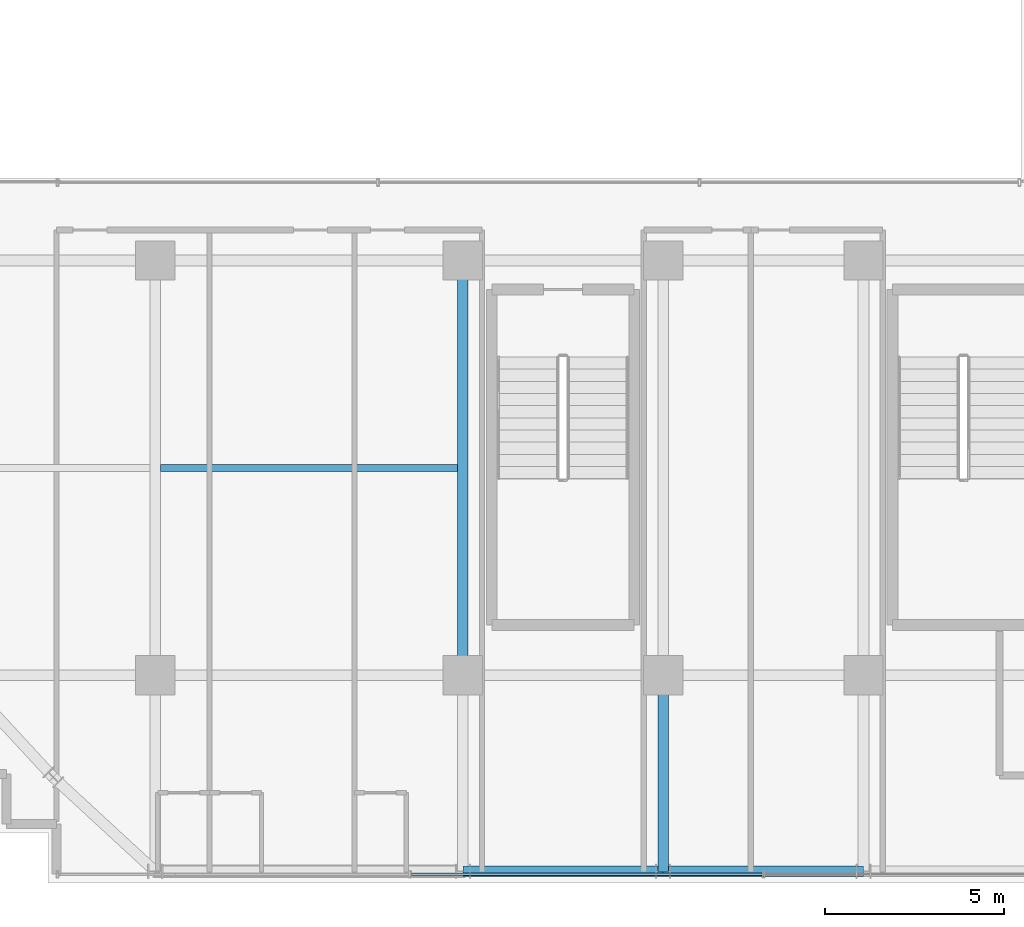
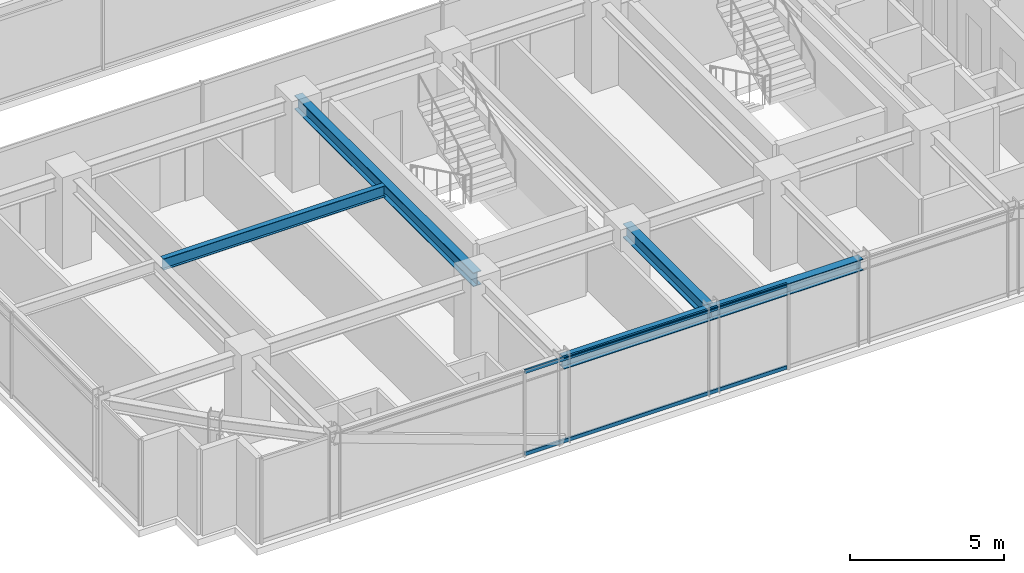
# One storey, part 5 of 36: 5 beams, 2 members, 1 element without a shape of its own.
"""IFC4 building model written with IfcOpenShell, lengths in metres."""

from ifc_helpers import new_model, si_unit, direction, frame, origin, origin_2d, place, context, subcontext, project, spatial, hollow_rectangle, i_section, extrude, source, transform, mapped, material, material_profile, profile_set, type_object, element, aggregate, save


model = new_model("IFC4")

# Units and contexts
model_context = context("Model", 3, precision=1e-05, world=origin(), true_north=direction((0.0, 1.0)))
body_context = subcontext(model_context, "Body", "Model", "MODEL_VIEW")
ifc_project = project(units=[si_unit("LENGTHUNIT", "METRE"), si_unit("AREAUNIT", "SQUARE_METRE"), si_unit("VOLUMEUNIT", "CUBIC_METRE"), si_unit("PLANEANGLEUNIT", "RADIAN"), si_unit("MASSUNIT", "GRAM", prefix="KILO")], contexts=[model_context])

# Site, building, storey
site_placement = place(None, origin())
site = spatial("IfcSite", under=ifc_project, at=site_placement, CompositionType="ELEMENT")
building_placement = place(site_placement, origin())
building = spatial("IfcBuilding", under=site, at=building_placement, Name="Nahalor Promenade Grand Hotel", CompositionType="ELEMENT")
storey_placement = place(building_placement, frame((0.0, 0.0, 174.550048828125)))
storey = spatial("IfcBuildingStorey", under=building, at=storey_placement, Name="L44", CompositionType="ELEMENT", Elevation=174.550048828125)

# Beams
ifc_material_1 = material(Name="Steel S355JR", Category="steel")
ifc_material_profile_1 = material_profile(ifc_material_1, i_section(OverallWidth=0.3, OverallDepth=0.55, WebThickness=0.015, FlangeThickness=0.029, at=origin_2d()), Name="HEB 550")
ifc_profile_set_1 = profile_set([ifc_material_profile_1], Name="Steel S355JR")
beam_type_1 = type_object("IfcBeamType", Name="Beam-Girder-HEB550", PredefinedType="BEAM", material=ifc_profile_set_1)
shared_shape_1 = source(origin(), body_context, "Body", "SweptSolid", [
    extrude(i_section(OverallWidth=0.3, OverallDepth=0.55, WebThickness=0.015, FlangeThickness=0.029, at=origin_2d()), origin(), (0.0, 0.0, 1.0), 11.60009765625),
])
beam_1_placement = place(storey_placement, frame((-8.39990234375, -17.0, 3.114990234375), z_axis=(0.0, 1.0, 0.0), x_axis=(-1.0, 0.0, 0.0)))
element("IfcBeam", 1, at=beam_1_placement, inside=storey, type_object=beam_type_1, Name="BM-L44-GY-1-1", PredefinedType="BEAM", context=body_context, shape_type="MappedRepresentation", body=[
    mapped(shared_shape_1, transform((0.0, 0.0, 0.0), scale=1.0)),
])
ifc_material_profile_2 = material_profile(ifc_material_1, i_section(OverallWidth=0.19, OverallDepth=0.45, WebThickness=0.0094, FlangeThickness=0.0146, at=origin_2d()), Name="IPE 450")
ifc_profile_set_2 = profile_set([ifc_material_profile_2], Name="Steel S355JR")
beam_type_2 = type_object("IfcBeamType", Name="Beam-Joist-IPE450", PredefinedType="JOIST", material=ifc_profile_set_2)
shared_shape_2 = source(origin(), body_context, "Body", "SweptSolid", [
    extrude(i_section(OverallWidth=0.19, OverallDepth=0.45, WebThickness=0.0094, FlangeThickness=0.0146, at=origin_2d()), origin(), (0.0, 0.0, 1.0), 8.300048828125),
])
beam_2_placement = place(storey_placement, frame((-16.85009765625, -11.199951171875, 3.1650390625), z_axis=(1.0, 0.0, 0.0), x_axis=(0.0, 1.0, 0.0)))
element("IfcBeam", 2, at=beam_2_placement, inside=storey, type_object=beam_type_2, Name="BM-L44-JSW-0-1", PredefinedType="JOIST", context=body_context, shape_type="MappedRepresentation", body=[
    mapped(shared_shape_2, transform((0.0, 0.0, 0.0), scale=1.0)),
])
shared_shape_3 = source(origin(), body_context, "Body", "SweptSolid", [
    extrude(i_section(OverallWidth=0.3, OverallDepth=0.55, WebThickness=0.015, FlangeThickness=0.029, at=origin_2d()), origin(), (0.0, 0.0, 1.0), 5.47998046875),
])
beam_3_placement = place(storey_placement, frame((-2.800048828125, -22.47998046875, 3.114990234375), z_axis=(0.0, 1.0, 0.0), x_axis=(-1.0, 0.0, 0.0)))
element("IfcBeam", 3, at=beam_3_placement, inside=storey, type_object=beam_type_1, Name="BM-L44-GY-2-0", PredefinedType="BEAM", context=body_context, shape_type="MappedRepresentation", body=[
    mapped(shared_shape_3, transform((0.0, 0.0, 0.0), scale=1.0)),
])
ifc_material_profile_3 = material_profile(ifc_material_1, i_section(OverallWidth=0.3, OverallDepth=0.45, WebThickness=0.014, FlangeThickness=0.026, at=origin_2d()), Name="HEB 450")
ifc_profile_set_3 = profile_set([ifc_material_profile_3], Name="Steel S355JR")
beam_type_3 = type_object("IfcBeamType", Name="Beam-Spandrel-HEB450", PredefinedType="SPANDREL", material=ifc_profile_set_3)
shared_shape_4 = source(origin(), body_context, "Body", "SweptSolid", [
    extrude(i_section(OverallWidth=0.3, OverallDepth=0.45, WebThickness=0.014, FlangeThickness=0.026, at=origin_2d()), origin(), (0.0, 0.0, 1.0), 5.599853515625),
])
beam_4_placement = place(storey_placement, frame((-8.39990234375, -22.47998046875, 3.1650390625), z_axis=(1.0, 0.0, 0.0), x_axis=(0.0, 1.0, 0.0)))
element("IfcBeam", 4, at=beam_4_placement, inside=storey, type_object=beam_type_3, Name="BM-L44-SP-S-1", PredefinedType="SPANDREL", context=body_context, shape_type="MappedRepresentation", body=[
    mapped(shared_shape_4, transform((0.0, 0.0, 0.0), scale=1.0)),
])
shared_shape_5 = source(origin(), body_context, "Body", "SweptSolid", [
    extrude(i_section(OverallWidth=0.3, OverallDepth=0.45, WebThickness=0.014, FlangeThickness=0.026, at=origin_2d()), origin(), (0.0, 0.0, 1.0), 5.60009765625),
])
beam_5_placement = place(storey_placement, frame((-2.800048828125, -22.47998046875, 3.1650390625), z_axis=(1.0, 0.0, 0.0), x_axis=(0.0, 1.0, 0.0)))
element("IfcBeam", 5, at=beam_5_placement, inside=storey, type_object=beam_type_3, Name="BM-L44-SP-S-2", PredefinedType="SPANDREL", context=body_context, shape_type="MappedRepresentation", body=[
    mapped(shared_shape_5, transform((0.0, 0.0, 0.0), scale=1.0)),
])

# Curtain wall, members
ifc_material_2 = material(Name="Anodised Bronze Aluminium EN AW-6063 T6", Category="aluminium")
curtain_wall_type = type_object("IfcCurtainWallType", Name="CW3 Elliptical-Void Collar Unitised Curtain Wall", PredefinedType="USERDEFINED", material=ifc_material_2)
curtain_wall_placement = place(storey_placement, origin())
curtain_wall = element("IfcCurtainWall", 6, at=curtain_wall_placement, inside=storey, type_object=curtain_wall_type, Name="L44 Curtain Wall CW-L44-S-1", ObjectType="UNITISED_CURTAIN_WALL", PredefinedType="USERDEFINED")
ifc_material_profile_4 = material_profile(ifc_material_2, hollow_rectangle(XDim=0.07, YDim=0.14, WallThickness=0.004, at=origin_2d()), Name="CWT 70x140x4")
ifc_profile_set_4 = profile_set([ifc_material_profile_4], Name="Anodised Bronze Aluminium EN AW-6063 T6")
member_type = type_object("IfcMemberType", Name="CWT3 Void Collar Transom 70x140", PredefinedType="USERDEFINED", material=ifc_profile_set_4)
shared_shape_6 = source(origin(), body_context, "Body", "SweptSolid", [
    extrude(hollow_rectangle(XDim=0.07, YDim=0.14, WallThickness=0.004, at=origin_2d()), origin(), (0.0, 0.0, 1.0), 9.81005859375),
])
member_1_placement = place(storey_placement, frame((-9.844970703125, -22.56005859375, 0.070068359375), z_axis=(1.0, 0.0, 0.0), x_axis=(0.0, 1.0, 0.0)))
member_1 = element("IfcMember", 7, at=member_1_placement, type_object=member_type, Name="CW-L44-S-1 Transom 1-0", ObjectType="TRANSOM", PredefinedType="USERDEFINED", context=body_context, shape_type="MappedRepresentation", body=[
    mapped(shared_shape_6, transform((0.0, 0.0, 0.0), scale=1.0)),
])
member_2_placement = place(storey_placement, frame((-9.844970703125, -22.56005859375, 3.320068359375), z_axis=(1.0, 0.0, 0.0), x_axis=(0.0, 1.0, 0.0)))
member_2 = element("IfcMember", 8, at=member_2_placement, type_object=member_type, Name="CW-L44-S-1 Transom 1-1", ObjectType="TRANSOM", PredefinedType="USERDEFINED", context=body_context, shape_type="MappedRepresentation", body=[
    mapped(shared_shape_6, transform((0.0, 0.0, 0.0), scale=1.0)),
])
aggregate(curtain_wall, [member_1, member_2])

save(model, "model.ifc")
